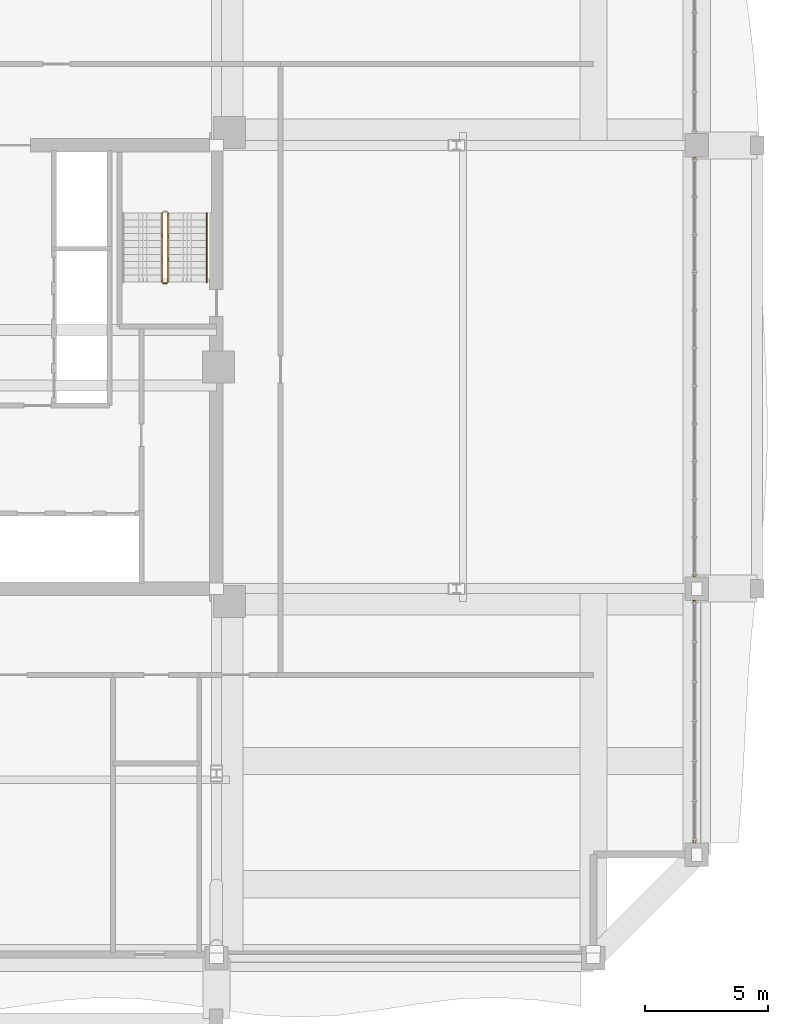
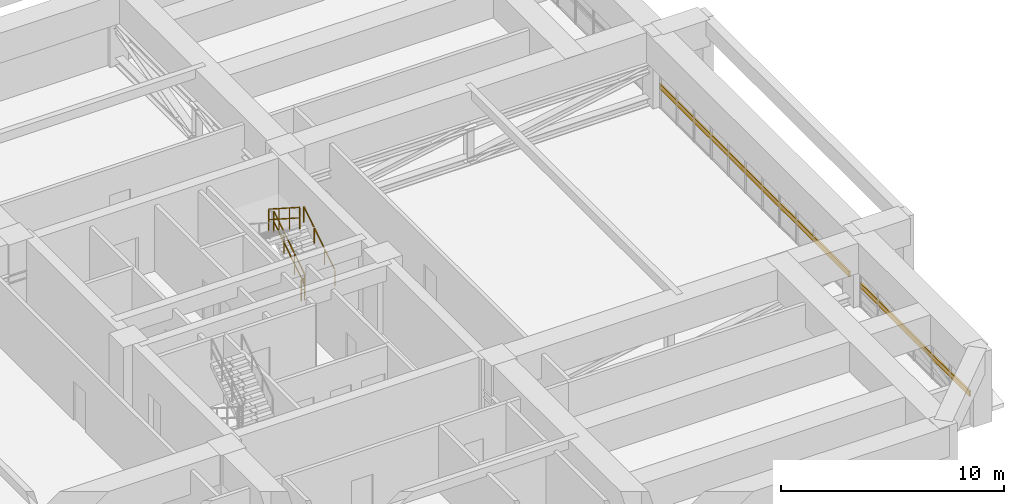
# One storey, part 33 of 35: 4 railings, 2 shading devices.
"""IFC4 building model written with IfcOpenShell, lengths in metres."""

from ifc_helpers import new_model, si_unit, direction, frame, origin, origin_2d, place, context, subcontext, project, spatial, rectangle, extrude, source, transform, mapped, material, material_profile, profile_set, type_object, element, save


model = new_model("IFC4")

# Units and contexts
model_context = context("Model", 3, precision=1e-05, world=origin(), true_north=direction((0.0, 1.0)))
body_context = subcontext(model_context, "Body", "Model", "MODEL_VIEW")
ifc_project = project(units=[si_unit("LENGTHUNIT", "METRE"), si_unit("AREAUNIT", "SQUARE_METRE"), si_unit("VOLUMEUNIT", "CUBIC_METRE"), si_unit("PLANEANGLEUNIT", "RADIAN"), si_unit("MASSUNIT", "GRAM", prefix="KILO")], contexts=[model_context])

# Site, building, storey
site_placement = place(None, origin())
site = spatial("IfcSite", under=ifc_project, at=site_placement, CompositionType="ELEMENT")
building_placement = place(site_placement, origin())
building = spatial("IfcBuilding", under=site, at=building_placement, Name="Saelheon Loggia Tower", CompositionType="ELEMENT")
storey_placement = place(building_placement, frame((0.0, 0.0, 144.75)))
storey = spatial("IfcBuildingStorey", under=building, at=storey_placement, Name="L46", CompositionType="ELEMENT", Elevation=144.75)

# Railings
ifc_material_1 = material(Name="Galvanised Steel S275 Stairwell Guardrail", Category="steel")
railing_type_1 = type_object("IfcRailingType", Name="Guard_StairWell_RL_STG", PredefinedType="GUARDRAIL", material=ifc_material_1)
railing_1_placement = place(storey_placement, frame((42.5400390625, 30.449951171875, 0.179443359375)))
element("IfcRailing", 1, at=railing_1_placement, inside=storey, type_object=railing_type_1, Name="L46 ST2 stair guard 1", PredefinedType="GUARDRAIL", context=body_context, shape_type="SweptSolid", body=[
    extrude(rectangle(XDim=0.048095703125, YDim=0.048095703125, at=origin_2d()), frame((0.0, 0.028076171875, 1.19384765625), z_axis=(0.0, 0.841776520102, 0.539826166654), x_axis=(-1.0, 0.0, 0.0)), (0.0, 0.0, 1.0), 1.042236328125),
    extrude(rectangle(XDim=0.048095703125, YDim=0.048095703125, at=origin_2d()), frame((0.0, 0.028076171875, 0.617919921875), z_axis=(0.0, 0.841776520102, 0.539826166654), x_axis=(-1.0, 0.0, 0.0)), (0.0, 0.0, 1.0), 1.042236328125),
    extrude(rectangle(XDim=0.048095703125, YDim=0.048095703125, at=origin_2d()), frame((0.0, 0.96142578125, 1.79248046875), z_axis=(0.0, 0.841776520102, 0.539826166654), x_axis=(-1.0, 0.0, 0.0)), (0.0, 0.0, 1.0), 1.042236328125),
    extrude(rectangle(XDim=0.048095703125, YDim=0.048095703125, at=origin_2d()), frame((0.0, 0.96142578125, 1.216552734375), z_axis=(0.0, 0.841776520102, 0.539826166654), x_axis=(-1.0, 0.0, 0.0)), (0.0, 0.0, 1.0), 1.042236328125),
    extrude(rectangle(XDim=0.048095703125, YDim=0.048095703125, at=origin_2d()), frame((0.0, 1.894775390625, 2.390869140625), z_axis=(0.0, 0.841776520102, 0.539826166654), x_axis=(-1.0, 0.0, 0.0)), (0.0, 0.0, 1.0), 1.042236328125),
    extrude(rectangle(XDim=0.048095703125, YDim=0.048095703125, at=origin_2d()), frame((0.0, 1.894775390625, 1.81494140625), z_axis=(0.0, 0.841776520102, 0.539826166654), x_axis=(-1.0, 0.0, 0.0)), (0.0, 0.0, 1.0), 1.042236328125),
    extrude(rectangle(XDim=0.0419921875, YDim=0.0419921875, at=origin_2d()), origin(), (0.0, 0.0, 1.0), 1.14794921875),
    extrude(rectangle(XDim=0.0419921875, YDim=0.0419921875, at=origin_2d()), frame((0.0, 0.933349609375, 0.5986328125)), (0.0, 0.0, 1.0), 1.14794921875),
    extrude(rectangle(XDim=0.0419921875, YDim=0.0419921875, at=origin_2d()), frame((0.0, 1.86669921875, 1.197021484375)), (0.0, 0.0, 1.0), 1.14794921875),
    extrude(rectangle(XDim=0.0419921875, YDim=0.0419921875, at=origin_2d()), frame((0.0, 2.800048828125, 1.795654296875)), (0.0, 0.0, 1.0), 1.14794921875),
])
railing_2_placement = place(storey_placement, frame((42.280029296875, 33.25, 2.154541015625)))
element("IfcRailing", 2, at=railing_2_placement, inside=storey, type_object=railing_type_1, Name="L46 ST2 stair guard 3", PredefinedType="GUARDRAIL", context=body_context, shape_type="SweptSolid", body=[
    extrude(rectangle(XDim=0.048095703125, YDim=0.048095703125, at=origin_2d()), frame((0.0, -0.028076171875, 1.19384765625), z_axis=(0.0, -0.841809871826, 0.539774156196), x_axis=(1.0, 0.0, 0.0)), (0.0, 0.0, 1.0), 1.042236328125),
    extrude(rectangle(XDim=0.048095703125, YDim=0.048095703125, at=origin_2d()), frame((0.0, -0.028076171875, 0.617919921875), z_axis=(0.0, -0.841809871826, 0.539774156196), x_axis=(1.0, 0.0, 0.0)), (0.0, 0.0, 1.0), 1.042236328125),
    extrude(rectangle(XDim=0.048095703125, YDim=0.048095703125, at=origin_2d()), frame((0.0, -0.96142578125, 1.792236328125), z_axis=(0.0, -0.841809871826, 0.539774156196), x_axis=(1.0, 0.0, 0.0)), (0.0, 0.0, 1.0), 1.042236328125),
    extrude(rectangle(XDim=0.048095703125, YDim=0.048095703125, at=origin_2d()), frame((0.0, -0.96142578125, 1.21630859375), z_axis=(0.0, -0.841809871826, 0.539774156196), x_axis=(1.0, 0.0, 0.0)), (0.0, 0.0, 1.0), 1.042236328125),
    extrude(rectangle(XDim=0.048095703125, YDim=0.048095703125, at=origin_2d()), frame((0.0, -1.894775390625, 2.390869140625), z_axis=(0.0, -0.841809871826, 0.539774156196), x_axis=(1.0, 0.0, 0.0)), (0.0, 0.0, 1.0), 1.042236328125),
    extrude(rectangle(XDim=0.048095703125, YDim=0.048095703125, at=origin_2d()), frame((0.0, -1.894775390625, 1.81494140625), z_axis=(0.0, -0.841809871826, 0.539774156196), x_axis=(1.0, 0.0, 0.0)), (0.0, 0.0, 1.0), 1.042236328125),
    extrude(rectangle(XDim=0.0419921875, YDim=0.0419921875, at=origin_2d()), origin(), (0.0, 0.0, 1.0), 1.14794921875),
    extrude(rectangle(XDim=0.0419921875, YDim=0.0419921875, at=origin_2d()), frame((0.0, -0.933349609375, 0.598388671875)), (0.0, 0.0, 1.0), 1.14794921875),
    extrude(rectangle(XDim=0.0419921875, YDim=0.0419921875, at=origin_2d()), frame((0.0, -1.86669921875, 1.197021484375)), (0.0, 0.0, 1.0), 1.14794921875),
    extrude(rectangle(XDim=0.0419921875, YDim=0.0419921875, at=origin_2d()), frame((0.0, -2.800048828125, 1.79541015625)), (0.0, 0.0, 1.0), 1.14794921875),
])
railing_3_placement = place(storey_placement, frame((42.489990234375, 30.39990234375, 0.0)))
element("IfcRailing", 3, at=railing_3_placement, inside=storey, type_object=railing_type_1, Name="L46 ST2 stair guard 4", PredefinedType="GUARDRAIL", context=body_context, shape_type="SweptSolid", body=[
    extrude(rectangle(XDim=0.048095703125, YDim=0.048095703125, at=origin_2d()), frame((-0.033203125, 0.0, 1.17578125), z_axis=(-1.0, 0.0, 0.0), x_axis=(0.0, -1.0, 0.0)), (0.0, 0.0, 1.0), 0.093505859375),
    extrude(rectangle(XDim=0.048095703125, YDim=0.048095703125, at=origin_2d()), frame((-0.033203125, 0.0, 0.60009765625), z_axis=(-1.0, 0.0, 0.0), x_axis=(0.0, -1.0, 0.0)), (0.0, 0.0, 1.0), 0.093505859375),
    extrude(rectangle(XDim=0.0419921875, YDim=0.0419921875, at=origin_2d()), origin(), (0.0, 0.0, 1.0), 1.14794921875),
    extrude(rectangle(XDim=0.0419921875, YDim=0.0419921875, at=origin_2d()), frame((-0.159912109375, 0.0, 0.0)), (0.0, 0.0, 1.0), 1.14794921875),
])
ifc_material_2 = material(Name="Stainless Steel 304 Tubular Handrail", Category="steel")
railing_type_2 = type_object("IfcRailingType", Name="Handrail_Stair_RL_HR1", PredefinedType="HANDRAIL", material=ifc_material_2)
railing_4_placement = place(storey_placement, frame((44.10009765625, 30.449951171875, 0.179443359375)))
element("IfcRailing", 4, at=railing_4_placement, inside=storey, type_object=railing_type_2, Name="L46 ST2 stair handrail 1", PredefinedType="HANDRAIL", context=body_context, shape_type="SweptSolid", body=[
    extrude(rectangle(XDim=0.048095703125, YDim=0.048095703125, at=origin_2d()), frame((0.0, 0.028076171875, 0.893798828125), z_axis=(0.0, 0.841776520102, 0.539826166654), x_axis=(-1.0, 0.0, 0.0)), (0.0, 0.0, 1.0), 1.042236328125),
    extrude(rectangle(XDim=0.048095703125, YDim=0.048095703125, at=origin_2d()), frame((0.0, 0.96142578125, 1.492431640625), z_axis=(0.0, 0.841776520102, 0.539826166654), x_axis=(-1.0, 0.0, 0.0)), (0.0, 0.0, 1.0), 1.042236328125),
    extrude(rectangle(XDim=0.048095703125, YDim=0.048095703125, at=origin_2d()), frame((0.0, 1.894775390625, 2.0908203125), z_axis=(0.0, 0.841776520102, 0.539826166654), x_axis=(-1.0, 0.0, 0.0)), (0.0, 0.0, 1.0), 1.042236328125),
    extrude(rectangle(XDim=0.0419921875, YDim=0.0419921875, at=origin_2d()), origin(), (0.0, 0.0, 1.0), 0.847900390625),
    extrude(rectangle(XDim=0.0419921875, YDim=0.0419921875, at=origin_2d()), frame((0.0, 0.933349609375, 0.5986328125)), (0.0, 0.0, 1.0), 0.847900390625),
    extrude(rectangle(XDim=0.0419921875, YDim=0.0419921875, at=origin_2d()), frame((0.0, 1.86669921875, 1.197021484375)), (0.0, 0.0, 1.0), 0.847900390625),
    extrude(rectangle(XDim=0.0419921875, YDim=0.0419921875, at=origin_2d()), frame((0.0, 2.800048828125, 1.795654296875)), (0.0, 0.0, 1.0), 0.847900390625),
])

# Shading devices
ifc_material_3 = material(Name="Bronze-Anodised Aluminium 6063-T6", Category="aluminium")
ifc_material_profile = material_profile(ifc_material_3, rectangle(XDim=0.080078125, YDim=0.300048828125, at=origin_2d()), Name="Louvre_Refuge_LV_RF1")
ifc_profile_set = profile_set([ifc_material_profile], Name="Bronze-Anodised Aluminium 6063-T6")
shading_device_type = type_object("IfcShadingDeviceType", Name="Louvre_Refuge_LV_RF1", PredefinedType="JALOUSIE", material=ifc_profile_set)
shared_shape_1 = source(origin(), body_context, "Body", "SweptSolid", [
    extrude(rectangle(XDim=0.080078125, YDim=0.300048828125, at=origin_2d()), origin(), (0.0, 0.0, 1.0), 17.0400390625),
])
shading_device_1_placement = place(storey_placement, frame((63.89990234375, 18.47998046875, 1.14990234375), z_axis=(0.0, 1.0, 0.0), x_axis=(-1.0, 0.0, 0.0)))
element("IfcShadingDevice", 5, at=shading_device_1_placement, inside=storey, type_object=shading_device_type, Name="L46 Refuge Acoustic Louvre Blade", PredefinedType="JALOUSIE", context=body_context, shape_type="MappedRepresentation", body=[
    mapped(shared_shape_1, transform((0.0, 0.0, 0.0), scale=1.0)),
])
shared_shape_2 = source(origin(), body_context, "Body", "SweptSolid", [
    extrude(rectangle(XDim=0.080078125, YDim=0.300048828125, at=origin_2d()), origin(), (0.0, 0.0, 1.0), 9.840087890625),
])
shading_device_2_placement = place(storey_placement, frame((63.89990234375, 7.679931640625, 1.14990234375), z_axis=(0.0, 1.0, 0.0), x_axis=(-1.0, 0.0, 0.0)))
element("IfcShadingDevice", 6, at=shading_device_2_placement, inside=storey, type_object=shading_device_type, Name="L46 Refuge Acoustic Louvre Blade", PredefinedType="JALOUSIE", context=body_context, shape_type="MappedRepresentation", body=[
    mapped(shared_shape_2, transform((0.0, 0.0, 0.0), scale=1.0)),
])

save(model, "model.ifc")
